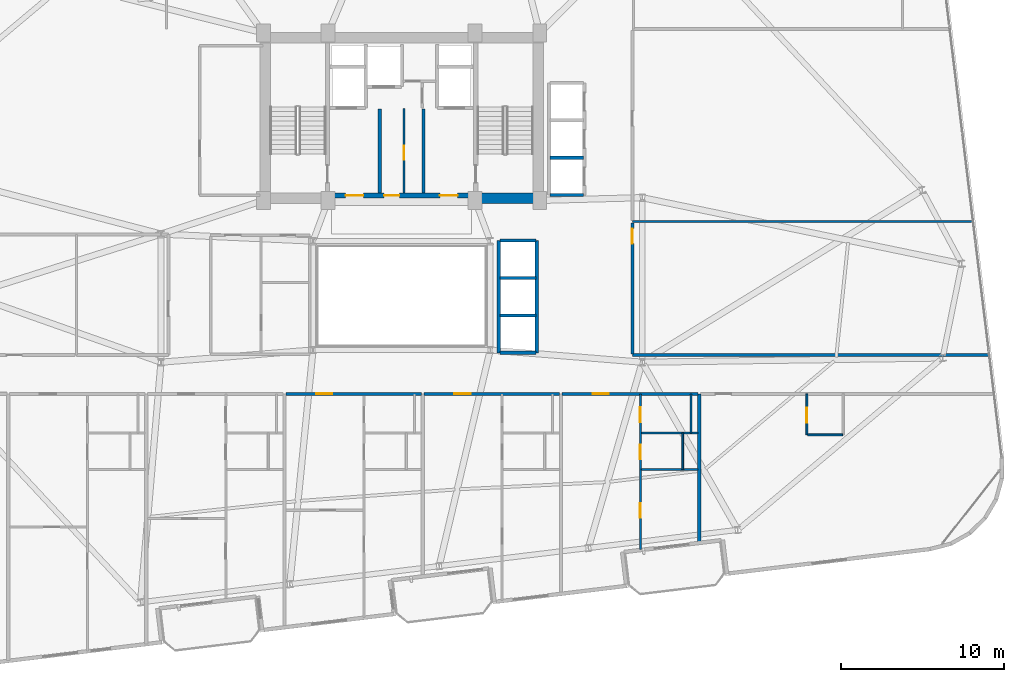
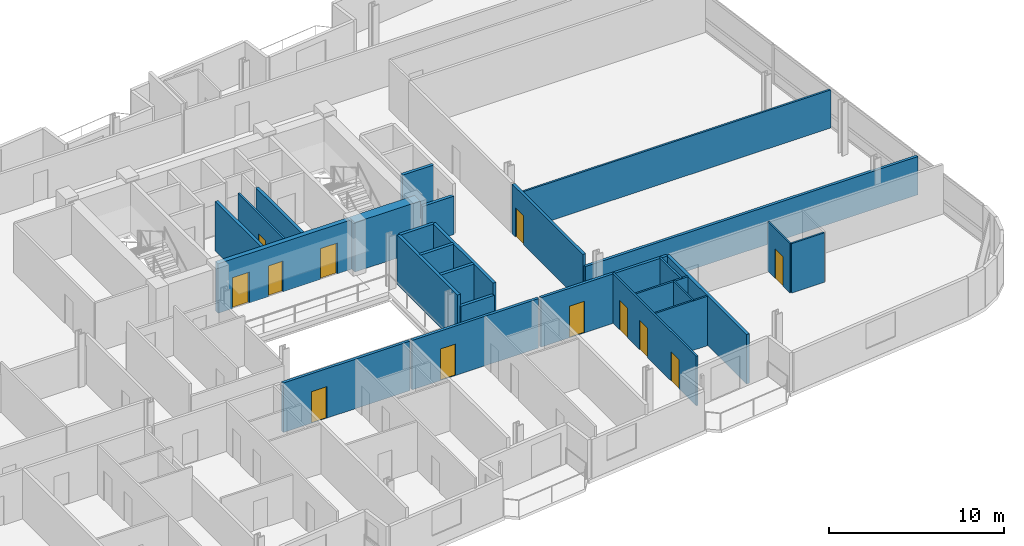
# One storey, part 17 of 24: 27 walls, 12 doors, 12 openings.
"""IFC4 building model written with IfcOpenShell, lengths in metres."""

from ifc_helpers import new_model, si_unit, direction, frame, frame_2d, origin, place, context, subcontext, project, spatial, rectangle, extrude, material, layer, layer_set, type_object, element, fill, save


model = new_model("IFC4")

# Units and contexts
model_context = context("Model", 3, precision=1e-05, world=origin(), true_north=direction((0.0, 1.0)))
body_context = subcontext(model_context, "Body", "Model", "MODEL_VIEW")
ifc_project = project(units=[si_unit("LENGTHUNIT", "METRE"), si_unit("AREAUNIT", "SQUARE_METRE"), si_unit("VOLUMEUNIT", "CUBIC_METRE"), si_unit("PLANEANGLEUNIT", "RADIAN"), si_unit("MASSUNIT", "GRAM", prefix="KILO")], contexts=[model_context])

# Site, building, storey
site_placement = place(None, origin())
site = spatial("IfcSite", under=ifc_project, at=site_placement, CompositionType="ELEMENT")
building_placement = place(site_placement, origin())
building = spatial("IfcBuilding", under=site, at=building_placement, Name="Varnelok Gate Tower", CompositionType="ELEMENT")
storey_placement = place(building_placement, frame((0.0, 0.0, 196.800048828125)))
storey = spatial("IfcBuildingStorey", under=building, at=storey_placement, Name="L50", CompositionType="ELEMENT", Elevation=196.800048828125)

# Wall, opening, door
ifc_material_1 = material(Name="Gypsum Plasterboard Acoustic Partition", Category="gypsum")
ifc_layer_1 = layer(ifc_material_1, 0.179931640625)
ifc_layer_set_1 = layer_set([ifc_layer_1], Name="Gypsum Plasterboard Acoustic Partition")
wall_type_1 = type_object("IfcWallType", Name="PW-CORR-180", PredefinedType="PARTITIONING", material=ifc_layer_set_1)
wall_1_placement = place(storey_placement, frame((32.080078125, 16.85009765625, 0.0), z_axis=(0.0, 0.0, 1.0), x_axis=(1.0, 0.0, 0.0)))
wall_1 = element("IfcWall", 1, at=wall_1_placement, inside=storey, type_object=wall_type_1, Name="Interior Partition", PredefinedType="PARTITIONING", context=body_context, shape_type="SweptSolid", body=[
    extrude(rectangle(XDim=8.33984375, YDim=0.179931640625, at=frame_2d((4.169921875, 0.0))), origin(), (0.0, 0.0, 1.0), 3.449951171875),
])
opening_1_placement = place(wall_1_placement, frame((1.86767578125, 0.0, 0.0)))
opening_1 = element("IfcOpeningElement", 2, at=opening_1_placement, cuts=wall_1, Name="Opening D-AP", PredefinedType="OPENING", context=body_context, shape_type="SweptSolid", body=[
    extrude(rectangle(XDim=1.0, YDim=2.199951171875, at=frame_2d((0.5, 1.10009765625))), frame((0.0, 0.099853515625, 0.0), z_axis=(0.0, -1.0, 0.0), x_axis=(1.0, 0.0, 0.0)), (0.0, 0.0, 1.0), 0.199951171875),
])
ifc_material_2 = material(Name="Engineered Hardwood Timber", Category="wood")
door_type_1 = type_object("IfcDoorType", Name="DR-APT-1000", OperationType="NOTDEFINED", PredefinedType="DOOR", material=ifc_material_2)
door_1_placement = place(opening_1_placement, origin())
door_1 = element("IfcDoor", 3, at=door_1_placement, inside=storey, type_object=door_type_1, Name="L50 Apartment 4 Entrance Door", OperationType="SINGLE_SWING_LEFT", OverallHeight=2.199951171875, OverallWidth=1.0, PredefinedType="DOOR", context=body_context, shape_type="SweptSolid", body=[
    extrude(rectangle(XDim=1.0, YDim=2.199951171875, at=frame_2d((0.5, 1.10009765625))), frame((0.0, 0.02490234375, 0.0), z_axis=(0.0, -1.0, 0.0), x_axis=(1.0, 0.0, 0.0)), (0.0, 0.0, 1.0), 0.050048828125),
])
fill(opening_1, door_1)

wall_2_placement = place(storey_placement, frame((40.580078125, 16.85009765625, 0.0), z_axis=(0.0, 0.0, 1.0), x_axis=(1.0, 0.0, 0.0)))
wall_2 = element("IfcWall", 4, at=wall_2_placement, inside=storey, type_object=wall_type_1, Name="Interior Partition", PredefinedType="PARTITIONING", context=body_context, shape_type="SweptSolid", body=[
    extrude(rectangle(XDim=8.33984375, YDim=0.179931640625, at=frame_2d((4.169921875, 0.0))), origin(), (0.0, 0.0, 1.0), 3.449951171875),
])
opening_2_placement = place(wall_2_placement, frame((1.86767578125, 0.0, 0.0)))
opening_2 = element("IfcOpeningElement", 5, at=opening_2_placement, cuts=wall_2, Name="Opening D-AP", PredefinedType="OPENING", context=body_context, shape_type="SweptSolid", body=[
    extrude(rectangle(XDim=1.0, YDim=2.199951171875, at=frame_2d((0.5, 1.10009765625))), frame((0.0, 0.099853515625, 0.0), z_axis=(0.0, -1.0, 0.0), x_axis=(1.0, 0.0, 0.0)), (0.0, 0.0, 1.0), 0.199951171875),
])
door_2_placement = place(opening_2_placement, origin())
door_2 = element("IfcDoor", 6, at=door_2_placement, inside=storey, type_object=door_type_1, Name="L50 Apartment 5 Entrance Door", OperationType="SINGLE_SWING_RIGHT", OverallHeight=2.199951171875, OverallWidth=1.0, PredefinedType="DOOR", context=body_context, shape_type="SweptSolid", body=[
    extrude(rectangle(XDim=1.0, YDim=2.199951171875, at=frame_2d((0.5, 1.10009765625))), frame((0.0, 0.02490234375, 0.0), z_axis=(0.0, -1.0, 0.0), x_axis=(1.0, 0.0, 0.0)), (0.0, 0.0, 1.0), 0.050048828125),
])
fill(opening_2, door_2)

wall_3_placement = place(storey_placement, frame((49.080078125, 16.85009765625, 0.0), z_axis=(0.0, 0.0, 1.0), x_axis=(1.0, 0.0, 0.0)))
wall_3 = element("IfcWall", 7, at=wall_3_placement, inside=storey, type_object=wall_type_1, Name="Interior Partition", PredefinedType="PARTITIONING", context=body_context, shape_type="SweptSolid", body=[
    extrude(rectangle(XDim=8.33984375, YDim=0.179931640625, at=frame_2d((4.169921875, 0.0))), origin(), (0.0, 0.0, 1.0), 3.449951171875),
])
opening_3_placement = place(wall_3_placement, frame((1.86767578125, 0.0, 0.0)))
opening_3 = element("IfcOpeningElement", 8, at=opening_3_placement, cuts=wall_3, Name="Opening D-AP", PredefinedType="OPENING", context=body_context, shape_type="SweptSolid", body=[
    extrude(rectangle(XDim=1.0, YDim=2.199951171875, at=frame_2d((0.5, 1.10009765625))), frame((0.0, 0.099853515625, 0.0), z_axis=(0.0, -1.0, 0.0), x_axis=(1.0, 0.0, 0.0)), (0.0, 0.0, 1.0), 0.199951171875),
])
door_3_placement = place(opening_3_placement, origin())
door_3 = element("IfcDoor", 9, at=door_3_placement, inside=storey, type_object=door_type_1, Name="L50 Apartment 6 Entrance Door", OperationType="SINGLE_SWING_LEFT", OverallHeight=2.199951171875, OverallWidth=1.0, PredefinedType="DOOR", context=body_context, shape_type="SweptSolid", body=[
    extrude(rectangle(XDim=1.0, YDim=2.199951171875, at=frame_2d((0.5, 1.10009765625))), frame((0.0, 0.02490234375, 0.0), z_axis=(0.0, -1.0, 0.0), x_axis=(1.0, 0.0, 0.0)), (0.0, 0.0, 1.0), 0.050048828125),
])
fill(opening_3, door_3)

wall_4_placement = place(storey_placement, frame((53.389892578125, 19.300048828125, 0.0), z_axis=(0.0, 0.0, 1.0), x_axis=(0.0, 1.0, 0.0)))
wall_4 = element("IfcWall", 10, at=wall_4_placement, inside=storey, type_object=wall_type_1, Name="Interior Partition", PredefinedType="PARTITIONING", context=body_context, shape_type="SweptSolid", body=[
    extrude(rectangle(XDim=8.070068359375, YDim=0.179931640625, at=frame_2d((4.03515625, 0.0))), origin(), (0.0, 0.0, 1.0), 3.449951171875),
])
opening_4_placement = place(wall_4_placement, frame((6.800048828125, 0.0, 0.0)))
opening_4 = element("IfcOpeningElement", 11, at=opening_4_placement, cuts=wall_4, Name="Opening D-I3", PredefinedType="OPENING", context=body_context, shape_type="SweptSolid", body=[
    extrude(rectangle(XDim=0.919921875, YDim=2.050048828125, at=frame_2d((0.4599609375, 1.02490234375))), frame((0.0, 0.099853515625, 0.0), z_axis=(0.0, -1.0, 0.0), x_axis=(1.0, 0.0, 0.0)), (0.0, 0.0, 1.0), 0.199951171875),
])
door_type_2 = type_object("IfcDoorType", Name="DR-INT-920", OperationType="NOTDEFINED", PredefinedType="DOOR", material=ifc_material_2)
door_4_placement = place(opening_4_placement, origin())
door_4 = element("IfcDoor", 12, at=door_4_placement, inside=storey, type_object=door_type_2, Name="L50 East Suite 1 Door", OperationType="SINGLE_SWING_LEFT", OverallHeight=2.050048828125, OverallWidth=0.919921875, PredefinedType="DOOR", context=body_context, shape_type="SweptSolid", body=[
    extrude(rectangle(XDim=0.919921875, YDim=2.050048828125, at=frame_2d((0.4599609375, 1.02490234375))), frame((0.0, 0.02490234375, 0.0), z_axis=(0.0, -1.0, 0.0), x_axis=(1.0, 0.0, 0.0)), (0.0, 0.0, 1.0), 0.050048828125),
])
fill(opening_4, door_4)

# Walls
wall_5_placement = place(storey_placement, frame((53.389892578125, 19.239990234375, 0.0), z_axis=(0.0, 0.0, 1.0), x_axis=(1.0, 0.0, 0.0)))
element("IfcWall", 13, at=wall_5_placement, inside=storey, type_object=wall_type_1, Name="Interior Partition", PredefinedType="PARTITIONING", context=body_context, shape_type="SweptSolid", body=[
    extrude(rectangle(XDim=21.922119140625, YDim=0.179931640625, at=frame_2d((10.9609375, 0.0))), origin(), (0.0, 0.0, 1.0), 2.661865234375),
])
ifc_layer_2 = layer(ifc_material_1, 0.114990234375)
ifc_layer_set_2 = layer_set([ifc_layer_2], Name="Gypsum Plasterboard Acoustic Partition")
wall_type_2 = type_object("IfcWallType", Name="PW-ENS-125", PredefinedType="PARTITIONING", material=ifc_layer_set_2)
wall_6_placement = place(storey_placement, frame((53.955078125, 12.199951171875, 0.0), z_axis=(0.0, 0.0, 1.0), x_axis=(1.0, 0.0, 0.0)))
element("IfcWall", 14, at=wall_6_placement, inside=storey, type_object=wall_type_2, Name="Interior Partition", PredefinedType="PARTITIONING", context=body_context, shape_type="SweptSolid", body=[
    extrude(rectangle(XDim=3.46484375, YDim=0.114990234375, at=frame_2d((1.732421875, 0.0))), origin(), (0.0, 0.0, 1.0), 3.449951171875),
])
wall_7_placement = place(storey_placement, frame((56.4951171875, 12.199951171875, 0.0), z_axis=(0.0, 0.0, 1.0), x_axis=(0.0, 1.0, 0.0)))
element("IfcWall", 15, at=wall_7_placement, inside=storey, type_object=wall_type_2, Name="Interior Partition", PredefinedType="PARTITIONING", context=body_context, shape_type="SweptSolid", body=[
    extrude(rectangle(XDim=2.239990234375, YDim=0.114990234375, at=frame_2d((1.1201171875, 0.0))), origin(), (0.0, 0.0, 1.0), 3.449951171875),
])
wall_8_placement = place(storey_placement, frame((64.169921875, 14.330078125, 0.0), z_axis=(0.0, 0.0, 1.0), x_axis=(1.0, 0.0, 0.0)))
element("IfcWall", 16, at=wall_8_placement, inside=storey, type_object=wall_type_2, Name="Interior Partition", PredefinedType="PARTITIONING", context=body_context, shape_type="SweptSolid", body=[
    extrude(rectangle(XDim=2.150146484375, YDim=0.114990234375, at=frame_2d((1.0751953125, 0.0))), origin(), (0.0, 0.0, 1.0), 3.449951171875),
])

# Wall, opening, door
wall_9_placement = place(storey_placement, frame((64.1298828125, 14.330078125, 0.0), z_axis=(0.0, 0.0, 1.0), x_axis=(0.0, 1.0, 0.0)))
wall_9 = element("IfcWall", 17, at=wall_9_placement, inside=storey, type_object=wall_type_2, Name="Interior Partition", PredefinedType="PARTITIONING", context=body_context, shape_type="SweptSolid", body=[
    extrude(rectangle(XDim=2.52001953125, YDim=0.114990234375, at=frame_2d((1.260009765625, 0.0))), origin(), (0.0, 0.0, 1.0), 3.449951171875),
])
opening_5_placement = place(wall_9_placement, frame((0.760009765625, 0.0, 0.0)))
opening_5 = element("IfcOpeningElement", 18, at=opening_5_placement, cuts=wall_9, Name="Opening D-WC", PredefinedType="OPENING", context=body_context, shape_type="SweptSolid", body=[
    extrude(rectangle(XDim=0.89990234375, YDim=2.050048828125, at=frame_2d((0.449951171875, 1.02490234375))), frame((0.0, 0.0673828125, 0.0), z_axis=(0.0, -1.0, 0.0), x_axis=(1.0, 0.0, 0.0)), (0.0, 0.0, 1.0), 0.135009765625),
])
door_type_3 = type_object("IfcDoorType", Name="DR-BATH-900", OperationType="NOTDEFINED", PredefinedType="DOOR", material=ifc_material_2)
door_5_placement = place(opening_5_placement, origin())
door_5 = element("IfcDoor", 19, at=door_5_placement, inside=storey, type_object=door_type_3, Name="L50 Guest En-Suite 07 Door", OperationType="SINGLE_SWING_RIGHT", OverallHeight=2.050048828125, OverallWidth=0.89990234375, PredefinedType="DOOR", context=body_context, shape_type="SweptSolid", body=[
    extrude(rectangle(XDim=0.89990234375, YDim=2.050048828125, at=frame_2d((0.449951171875, 1.02490234375))), frame((0.0, 0.02490234375, 0.0), z_axis=(0.0, -1.0, 0.0), x_axis=(1.0, 0.0, 0.0)), (0.0, 0.0, 1.0), 0.050048828125),
])
fill(opening_5, door_5)

# Wall, openings, doors
ifc_layer_3 = layer(ifc_material_1, 0.125)
ifc_layer_set_3 = layer_set([ifc_layer_3], Name="Gypsum Plasterboard Acoustic Partition")
wall_type_3 = type_object("IfcWallType", Name="PW-PART-125", PredefinedType="PARTITIONING", material=ifc_layer_set_3)
wall_10_placement = place(storey_placement, frame((53.88525390625, 7.2763671875, 0.0), z_axis=(0.0, 0.0, 1.0), x_axis=(0.0, 1.0, 0.0)))
wall_10 = element("IfcWall", 20, at=wall_10_placement, inside=storey, type_object=wall_type_3, Name="Interior Partition", PredefinedType="PARTITIONING", context=body_context, shape_type="SweptSolid", body=[
    extrude(rectangle(XDim=9.57373046875, YDim=0.125, at=frame_2d((4.786865234375, 0.0))), origin(), (0.0, 0.0, 1.0), 3.449951171875),
])
opening_6_placement = place(wall_10_placement, frame((1.94189453125, 0.0, 0.0)))
opening_6 = element("IfcOpeningElement", 21, at=opening_6_placement, cuts=wall_10, Name="Opening D-I3", PredefinedType="OPENING", context=body_context, shape_type="SweptSolid", body=[
    extrude(rectangle(XDim=0.919921875, YDim=2.050048828125, at=frame_2d((0.4599609375, 1.02490234375))), frame((0.0, 0.072509765625, 0.0), z_axis=(0.0, -1.0, 0.0), x_axis=(1.0, 0.0, 0.0)), (0.0, 0.0, 1.0), 0.14501953125),
])
opening_7_placement = place(wall_10_placement, frame((5.551025390625, 0.0, 0.0)))
opening_7 = element("IfcOpeningElement", 22, at=opening_7_placement, cuts=wall_10, Name="Opening D-WC", PredefinedType="OPENING", context=body_context, shape_type="SweptSolid", body=[
    extrude(rectangle(XDim=0.89990234375, YDim=2.050048828125, at=frame_2d((0.449951171875, 1.02490234375))), frame((0.0, 0.072509765625, 0.0), z_axis=(0.0, -1.0, 0.0), x_axis=(1.0, 0.0, 0.0)), (0.0, 0.0, 1.0), 0.14501953125),
])
opening_8_placement = place(wall_10_placement, frame((7.84375, 0.0, 0.0)))
opening_8 = element("IfcOpeningElement", 23, at=opening_8_placement, cuts=wall_10, Name="Opening D-I3", PredefinedType="OPENING", context=body_context, shape_type="SweptSolid", body=[
    extrude(rectangle(XDim=0.919921875, YDim=2.050048828125, at=frame_2d((0.4599609375, 1.02490234375))), frame((0.0, 0.072509765625, 0.0), z_axis=(0.0, -1.0, 0.0), x_axis=(1.0, 0.0, 0.0)), (0.0, 0.0, 1.0), 0.14501953125),
])
door_6_placement = place(opening_7_placement, origin())
door_6 = element("IfcDoor", 24, at=door_6_placement, inside=storey, type_object=door_type_3, Name="L50 Apartment 6 Bathroom Door", OperationType="SINGLE_SWING_LEFT", OverallHeight=2.050048828125, OverallWidth=0.89990234375, PredefinedType="DOOR", context=body_context, shape_type="SweptSolid", body=[
    extrude(rectangle(XDim=0.89990234375, YDim=2.050048828125, at=frame_2d((0.449951171875, 1.02490234375))), frame((0.0, 0.02490234375, 0.0), z_axis=(0.0, -1.0, 0.0), x_axis=(1.0, 0.0, 0.0)), (0.0, 0.0, 1.0), 0.050048828125),
])
fill(opening_7, door_6)
door_7_placement = place(opening_6_placement, origin())
door_7 = element("IfcDoor", 25, at=door_7_placement, inside=storey, type_object=door_type_2, Name="L50 Apartment 6 Bedroom Door", OperationType="SINGLE_SWING_RIGHT", OverallHeight=2.050048828125, OverallWidth=0.919921875, PredefinedType="DOOR", context=body_context, shape_type="SweptSolid", body=[
    extrude(rectangle(XDim=0.919921875, YDim=2.050048828125, at=frame_2d((0.4599609375, 1.02490234375))), frame((0.0, 0.02490234375, 0.0), z_axis=(0.0, -1.0, 0.0), x_axis=(1.0, 0.0, 0.0)), (0.0, 0.0, 1.0), 0.050048828125),
])
fill(opening_6, door_7)
door_8_placement = place(opening_8_placement, origin())
door_8 = element("IfcDoor", 26, at=door_8_placement, inside=storey, type_object=door_type_2, Name="L50 Apartment 6 Kitchen Door", OperationType="SINGLE_SWING_RIGHT", OverallHeight=2.050048828125, OverallWidth=0.919921875, PredefinedType="DOOR", context=body_context, shape_type="SweptSolid", body=[
    extrude(rectangle(XDim=0.919921875, YDim=2.050048828125, at=frame_2d((0.4599609375, 1.02490234375))), frame((0.0, 0.02490234375, 0.0), z_axis=(0.0, -1.0, 0.0), x_axis=(1.0, 0.0, 0.0)), (0.0, 0.0, 1.0), 0.050048828125),
])
fill(opening_8, door_8)

# Walls
wall_11_placement = place(storey_placement, frame((53.955078125, 14.43994140625, 0.0), z_axis=(0.0, 0.0, 1.0), x_axis=(1.0, 0.0, 0.0)))
element("IfcWall", 27, at=wall_11_placement, inside=storey, type_object=wall_type_3, Name="Interior Partition", PredefinedType="PARTITIONING", context=body_context, shape_type="SweptSolid", body=[
    extrude(rectangle(XDim=3.46484375, YDim=0.125, at=frame_2d((1.732421875, 0.0))), origin(), (0.0, 0.0, 1.0), 3.449951171875),
])
wall_12_placement = place(storey_placement, frame((56.9951171875, 14.43994140625, 0.0), z_axis=(0.0, 0.0, 1.0), x_axis=(0.0, 1.0, 0.0)))
element("IfcWall", 28, at=wall_12_placement, inside=storey, type_object=wall_type_3, Name="Interior Partition", PredefinedType="PARTITIONING", context=body_context, shape_type="SweptSolid", body=[
    extrude(rectangle(XDim=2.41015625, YDim=0.125, at=frame_2d((1.205078125, 0.0))), origin(), (0.0, 0.0, 1.0), 3.449951171875),
])
wall_13_placement = place(storey_placement, frame((53.389892578125, 27.449951171875, 0.0), z_axis=(0.0, 0.0, 1.0), x_axis=(1.0, 0.0, 0.0)))
element("IfcWall", 29, at=wall_13_placement, inside=storey, type_object=wall_type_3, Name="Interior Partition", PredefinedType="PARTITIONING", context=body_context, shape_type="SweptSolid", body=[
    extrude(rectangle(XDim=20.927001953125, YDim=0.125, at=frame_2d((10.46337890625, 0.0))), origin(), (0.0, 0.0, 1.0), 2.661865234375),
])

# Wall, opening, door
wall_14_placement = place(storey_placement, frame((39.35009765625, 29.199951171875, 0.0), z_axis=(0.0, 0.0, 1.0), x_axis=(0.0, 1.0, 0.0)))
wall_14 = element("IfcWall", 30, at=wall_14_placement, inside=storey, type_object=wall_type_3, Name="Interior Partition", PredefinedType="PARTITIONING", context=body_context, shape_type="SweptSolid", body=[
    extrude(rectangle(XDim=5.219970703125, YDim=0.125, at=frame_2d((2.60986328125, 0.0))), origin(), (0.0, 0.0, 1.0), 3.449951171875),
])
opening_9_placement = place(wall_14_placement, frame((2.050048828125, 0.0, 0.0)))
opening_9 = element("IfcOpeningElement", 31, at=opening_9_placement, cuts=wall_14, Name="Opening D-RS", PredefinedType="OPENING", context=body_context, shape_type="SweptSolid", body=[
    extrude(rectangle(XDim=0.85009765625, YDim=2.050048828125, at=frame_2d((0.425048828125, 1.02490234375))), frame((0.0, 0.072509765625, 0.0), z_axis=(0.0, -1.0, 0.0), x_axis=(1.0, 0.0, 0.0)), (0.0, 0.0, 1.0), 0.14501953125),
])
ifc_material_3 = material(Name="Galvanized Steel Grade S350GD", Category="steel")
door_type_4 = type_object("IfcDoorType", Name="DR-RISER-850", OperationType="NOTDEFINED", PredefinedType="DOOR", material=ifc_material_3)
door_9_placement = place(opening_9_placement, origin())
door_9 = element("IfcDoor", 32, at=door_9_placement, inside=storey, type_object=door_type_4, Name="L50 Housekeeping Linen Door", OperationType="SINGLE_SWING_RIGHT", OverallHeight=2.050048828125, OverallWidth=0.85009765625, PredefinedType="DOOR", context=body_context, shape_type="SweptSolid", body=[
    extrude(rectangle(XDim=0.85009765625, YDim=2.050048828125, at=frame_2d((0.425048828125, 1.02490234375))), frame((0.0, 0.02490234375, 0.0), z_axis=(0.0, -1.0, 0.0), x_axis=(1.0, 0.0, 0.0)), (0.0, 0.0, 1.0), 0.050048828125),
])
fill(opening_9, door_9)

# Walls
ifc_layer_4 = layer(ifc_material_1, 0.205078125)
ifc_layer_set_4 = layer_set([ifc_layer_4], Name="Gypsum Plasterboard Acoustic Partition")
wall_type_4 = type_object("IfcWallType", Name="PW-PARTY-200", PredefinedType="PARTITIONING", material=ifc_layer_set_4)
wall_15_placement = place(storey_placement, frame((57.5, 7.714599609375, 0.0), z_axis=(0.0, 0.0, 1.0), x_axis=(0.0, 1.0, 0.0)))
element("IfcWall", 33, at=wall_15_placement, inside=storey, type_object=wall_type_4, Name="L50 South Party Wall 6", PredefinedType="PARTITIONING", context=body_context, shape_type="SweptSolid", body=[
    extrude(rectangle(XDim=9.135498046875, YDim=0.205078125, at=frame_2d((4.56787109375, 0.0))), origin(), (0.0, 0.0, 1.0), 3.449951171875),
])
ifc_material_4 = material(Name="Concrete C35/45", Category="concrete")
ifc_layer_5 = layer(ifc_material_4, 0.199951171875)
ifc_layer_set_5 = layer_set([ifc_layer_5], Name="Concrete C35/45")
wall_type_5 = type_object("IfcWallType", Name="PW-SHAFT-200", PredefinedType="PARTITIONING", material=ifc_layer_set_5)
for number, where, z_axis, x_axis, name in (
    (34, (37.860107421875, 29.199951171875, 0.0), (0.0, 0.0, 1.0), (0.0, 1.0, 0.0), "L50 West FF Lobby Rated Wall"),
    (35, (40.5400390625, 29.199951171875, 0.0), (0.0, 0.0, 1.0), (0.0, 1.0, 0.0), "L50 East FF Lobby Rated Wall"),
):
    element("IfcWall", number, at=place(storey_placement, frame(where, z_axis=z_axis, x_axis=x_axis)), inside=storey, type_object=wall_type_5, Name=name, PredefinedType="PARTITIONING", context=body_context, shape_type="SweptSolid", body=[
        extrude(rectangle(XDim=5.179931640625, YDim=0.199951171875, at=frame_2d((2.58984375, 0.0))), origin(), (0.0, 0.0, 1.0), 3.449951171875),
    ])
wall_16_placement = place(storey_placement, frame((48.320068359375, 31.375, 0.0), z_axis=(0.0, 0.0, 1.0), x_axis=(1.0, 0.0, 0.0)))
element("IfcWall", 36, at=wall_16_placement, inside=storey, type_object=wall_type_5, Name="L50 PM1 Divider", PredefinedType="PARTITIONING", context=body_context, shape_type="SweptSolid", body=[
    extrude(rectangle(XDim=2.059814453125, YDim=0.199951171875, at=frame_2d((1.02978515625, 0.0))), origin(), (0.0, 0.0, 1.0), 3.449951171875),
])
wall_17_placement = place(storey_placement, frame((48.320068359375, 29.080078125, 0.0), z_axis=(0.0, 0.0, 1.0), x_axis=(1.0, 0.0, 0.0)))
element("IfcWall", 37, at=wall_17_placement, inside=storey, type_object=wall_type_5, Name="L50 PM Bank South Wall", PredefinedType="PARTITIONING", context=body_context, shape_type="SweptSolid", body=[
    extrude(rectangle(XDim=2.059814453125, YDim=0.199951171875, at=frame_2d((1.02978515625, 0.0))), origin(), (0.0, 0.0, 1.0), 2.661865234375),
])
for number, where, z_axis, x_axis, name in (
    (38, (45.239990234375, 21.675048828125, 0.0), (0.0, 0.0, 1.0), (1.0, 0.0, 0.0), "L50 PH1 Divider"),
    (39, (45.239990234375, 23.97509765625, 0.0), (0.0, 0.0, 1.0), (1.0, 0.0, 0.0), "L50 PH2 Divider"),
):
    element("IfcWall", number, at=place(storey_placement, frame(where, z_axis=z_axis, x_axis=x_axis)), inside=storey, type_object=wall_type_5, Name=name, PredefinedType="PARTITIONING", context=body_context, shape_type="SweptSolid", body=[
        extrude(rectangle(XDim=2.219970703125, YDim=0.199951171875, at=frame_2d((1.10986328125, 0.0))), origin(), (0.0, 0.0, 1.0), 3.449951171875),
    ])
wall_18_placement = place(storey_placement, frame((45.239990234375, 19.3798828125, 0.0), z_axis=(0.0, 0.0, 1.0), x_axis=(1.0, 0.0, 0.0)))
element("IfcWall", 40, at=wall_18_placement, inside=storey, type_object=wall_type_5, Name="L50 PH Bank South Wall", PredefinedType="PARTITIONING", context=body_context, shape_type="SweptSolid", body=[
    extrude(rectangle(XDim=2.219970703125, YDim=0.199951171875, at=frame_2d((1.10986328125, 0.0))), origin(), (0.0, 0.0, 1.0), 2.661865234375),
])
wall_19_placement = place(storey_placement, frame((45.239990234375, 26.280029296875, 0.0), z_axis=(0.0, 0.0, 1.0), x_axis=(1.0, 0.0, 0.0)))
element("IfcWall", 41, at=wall_19_placement, inside=storey, type_object=wall_type_5, Name="L50 PH Bank North Wall", PredefinedType="PARTITIONING", context=body_context, shape_type="SweptSolid", body=[
    extrude(rectangle(XDim=2.219970703125, YDim=0.199951171875, at=frame_2d((1.10986328125, 0.0))), origin(), (0.0, 0.0, 1.0), 3.449951171875),
])
for number, where, z_axis, x_axis, name in (
    (42, (45.179931640625, 19.3798828125, 0.0), (0.0, 0.0, 1.0), (0.0, 1.0, 0.0), "L50 PH Bank Atrium Wall"),
    (43, (47.52001953125, 19.3798828125, 0.0), (0.0, 0.0, 1.0), (0.0, 1.0, 0.0), "L50 PH Bank Front Wall"),
):
    element("IfcWall", number, at=place(storey_placement, frame(where, z_axis=z_axis, x_axis=x_axis)), inside=storey, type_object=wall_type_5, Name=name, PredefinedType="PARTITIONING", context=body_context, shape_type="SweptSolid", body=[
        extrude(rectangle(XDim=6.900146484375, YDim=0.199951171875, at=frame_2d((3.4501953125, 0.0))), origin(), (0.0, 0.0, 1.0), 3.449951171875),
    ])
ifc_material_5 = material(Name="Concrete C60/75", Category="concrete")
ifc_layer_6 = layer(ifc_material_5, 0.64990234375)
ifc_layer_set_6 = layer_set([ifc_layer_6], Name="Concrete C60/75")
wall_type_6 = type_object("IfcWallType", Name="SW-CORE-650", PredefinedType="SHEAR", material=ifc_layer_set_6)
wall_20_placement = place(storey_placement, frame((43.60009765625, 28.875, 0.0), z_axis=(0.0, 0.0, 1.0), x_axis=(1.0, 0.0, 0.0)))
element("IfcWall", 44, at=wall_20_placement, inside=storey, type_object=wall_type_6, Name="L50 Rear Core South-East Shear Wall", PredefinedType="SHEAR", context=body_context, shape_type="SweptSolid", body=[
    extrude(rectangle(XDim=4.31982421875, YDim=0.64990234375, at=frame_2d((2.159912109375, 0.0))), origin(), (0.0, 0.0, 1.0), 3.449951171875),
])

# Wall, openings, doors
ifc_layer_7 = layer(ifc_material_5, 0.300048828125)
ifc_layer_set_7 = layer_set([ifc_layer_7], Name="Concrete C60/75")
wall_type_7 = type_object("IfcWallType", Name="SW-SHAFT-300", PredefinedType="SHEAR", material=ifc_layer_set_7)
wall_21_placement = place(storey_placement, frame((34.800048828125, 29.050048828125, 0.0), z_axis=(0.0, 0.0, 1.0), x_axis=(1.0, 0.0, 0.0)))
wall_21 = element("IfcWall", 45, at=wall_21_placement, inside=storey, type_object=wall_type_7, Name="L50 Rear Core Central Lobby Shear Wall", PredefinedType="SHEAR", context=body_context, shape_type="SweptSolid", body=[
    extrude(rectangle(XDim=8.800048828125, YDim=0.300048828125, at=frame_2d((4.39990234375, 0.0))), origin(), (0.0, 0.0, 1.0), 3.449951171875),
])
opening_10_placement = place(wall_21_placement, frame((0.949951171875, 0.0, 0.0)))
opening_10 = element("IfcOpeningElement", 46, at=opening_10_placement, cuts=wall_21, Name="Opening D-FF", PredefinedType="OPENING", context=body_context, shape_type="SweptSolid", body=[
    extrude(rectangle(XDim=1.10009765625, YDim=2.14990234375, at=frame_2d((0.550048828125, 1.074951171875))), frame((0.0, 0.159912109375, 0.0), z_axis=(0.0, -1.0, 0.0), x_axis=(1.0, 0.0, 0.0)), (0.0, 0.0, 1.0), 0.320068359375),
])
opening_11_placement = place(wall_21_placement, frame((6.75, 0.0, 0.0)))
opening_11 = element("IfcOpeningElement", 47, at=opening_11_placement, cuts=wall_21, Name="Opening D-FF", PredefinedType="OPENING", context=body_context, shape_type="SweptSolid", body=[
    extrude(rectangle(XDim=1.10009765625, YDim=2.14990234375, at=frame_2d((0.550048828125, 1.074951171875))), frame((0.0, 0.159912109375, 0.0), z_axis=(0.0, -1.0, 0.0), x_axis=(1.0, 0.0, 0.0)), (0.0, 0.0, 1.0), 0.320068359375),
])
opening_12_placement = place(wall_21_placement, frame((3.320068359375, 0.0, 0.0)))
opening_12 = element("IfcOpeningElement", 48, at=opening_12_placement, cuts=wall_21, Name="Opening D-CR", PredefinedType="OPENING", context=body_context, shape_type="SweptSolid", body=[
    extrude(rectangle(XDim=0.949951171875, YDim=2.14990234375, at=frame_2d((0.47509765625, 1.074951171875))), frame((0.0, 0.159912109375, 0.0), z_axis=(0.0, -1.0, 0.0), x_axis=(1.0, 0.0, 0.0)), (0.0, 0.0, 1.0), 0.320068359375),
])
door_type_5 = type_object("IfcDoorType", Name="DR-CORR-950", OperationType="NOTDEFINED", PredefinedType="DOOR", material=ifc_material_3)
door_10_placement = place(opening_12_placement, origin())
door_10 = element("IfcDoor", 49, at=door_10_placement, inside=storey, type_object=door_type_5, Name="L50 Core Service Passage Door", OperationType="SINGLE_SWING_LEFT", OverallHeight=2.14990234375, OverallWidth=0.949951171875, PredefinedType="DOOR", context=body_context, shape_type="SweptSolid", body=[
    extrude(rectangle(XDim=0.949951171875, YDim=2.14990234375, at=frame_2d((0.47509765625, 1.074951171875))), frame((0.0, 0.02490234375, 0.0), z_axis=(0.0, -1.0, 0.0), x_axis=(1.0, 0.0, 0.0)), (0.0, 0.0, 1.0), 0.050048828125),
])
fill(opening_12, door_10)
door_type_6 = type_object("IfcDoorType", Name="DR-FFLOB-1100", OperationType="NOTDEFINED", PredefinedType="DOOR", material=ifc_material_3)
door_11_placement = place(opening_10_placement, origin())
door_11 = element("IfcDoor", 50, at=door_11_placement, inside=storey, type_object=door_type_6, Name="L50 West Firefighting Lobby Fire Door", OperationType="SINGLE_SWING_RIGHT", OverallHeight=2.14990234375, OverallWidth=1.10009765625, PredefinedType="DOOR", context=body_context, shape_type="SweptSolid", body=[
    extrude(rectangle(XDim=1.10009765625, YDim=2.14990234375, at=frame_2d((0.550048828125, 1.074951171875))), frame((0.0, 0.02490234375, 0.0), z_axis=(0.0, -1.0, 0.0), x_axis=(1.0, 0.0, 0.0)), (0.0, 0.0, 1.0), 0.050048828125),
])
fill(opening_10, door_11)
door_12_placement = place(opening_11_placement, origin())
door_12 = element("IfcDoor", 51, at=door_12_placement, inside=storey, type_object=door_type_6, Name="L50 East Firefighting Lobby Fire Door", OperationType="SINGLE_SWING_LEFT", OverallHeight=2.14990234375, OverallWidth=1.10009765625, PredefinedType="DOOR", context=body_context, shape_type="SweptSolid", body=[
    extrude(rectangle(XDim=1.10009765625, YDim=2.14990234375, at=frame_2d((0.550048828125, 1.074951171875))), frame((0.0, 0.02490234375, 0.0), z_axis=(0.0, -1.0, 0.0), x_axis=(1.0, 0.0, 0.0)), (0.0, 0.0, 1.0), 0.050048828125),
])
fill(opening_11, door_12)

save(model, "model.ifc")
